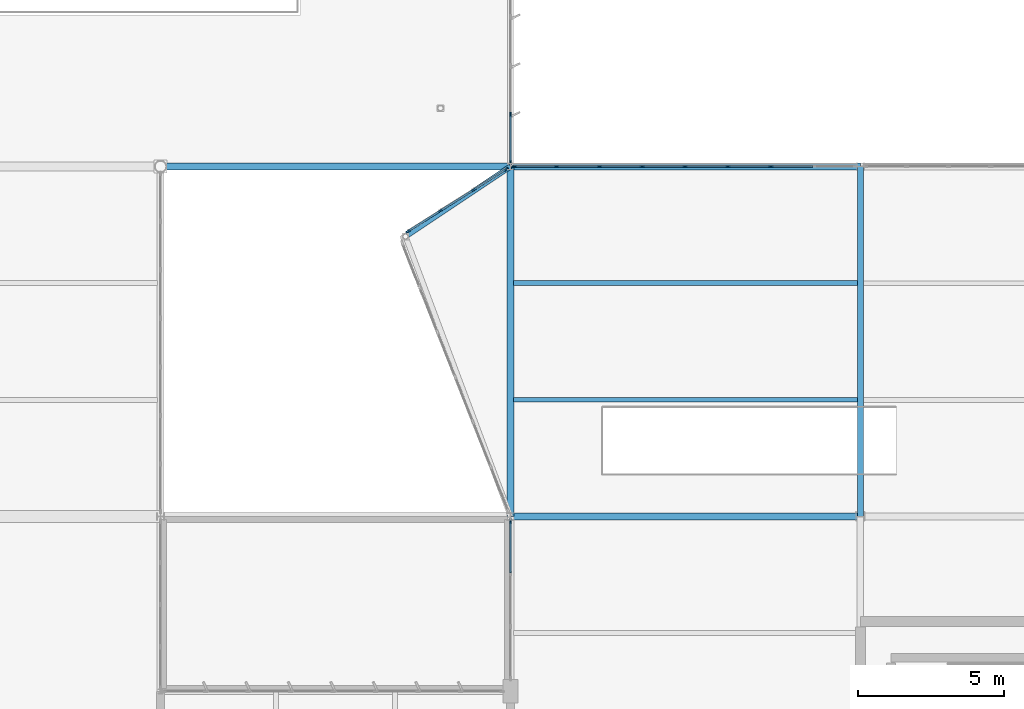
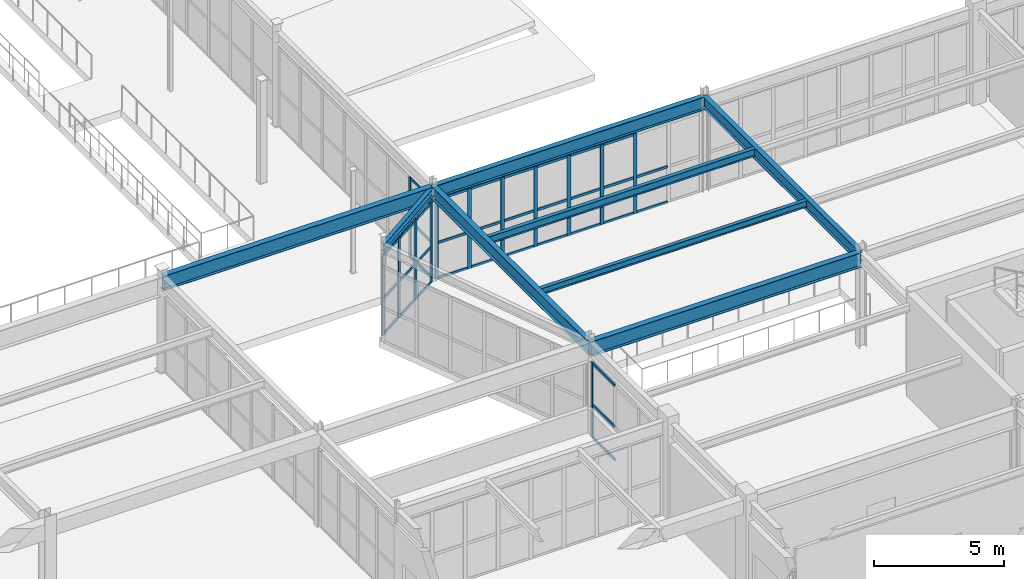
# One storey, part 114 of 226: 49 members, 8 beams, 4 elements without a shape of their own.
"""IFC4 building model written with IfcOpenShell, lengths in metres."""

from ifc_helpers import new_model, si_unit, direction, frame, origin, origin_2d, place, context, subcontext, project, spatial, rectangle, i_section, extrude, material, layer, layer_set, material_profile, profile_set, type_object, element, aggregate, save


model = new_model("IFC4")

# Units and contexts
model_context = context("Model", 3, precision=1e-05, world=origin(), true_north=direction((0.0, 1.0)))
body_context = subcontext(model_context, "Body", "Model", "MODEL_VIEW")
ifc_project = project(units=[si_unit("LENGTHUNIT", "METRE"), si_unit("AREAUNIT", "SQUARE_METRE"), si_unit("VOLUMEUNIT", "CUBIC_METRE"), si_unit("PLANEANGLEUNIT", "RADIAN"), si_unit("MASSUNIT", "GRAM", prefix="KILO")], contexts=[model_context])

# Site, building, storey
site_placement = place(None, origin())
site = spatial("IfcSite", under=ifc_project, at=site_placement, CompositionType="ELEMENT")
building_placement = place(site_placement, origin())
building = spatial("IfcBuilding", under=site, at=building_placement, Name="Tarnwether General Hospital", CompositionType="ELEMENT")
storey_placement = place(building_placement, frame((0.0, 0.0, 4.800048828125)))
storey = spatial("IfcBuildingStorey", under=building, at=storey_placement, Name="L01", CompositionType="ELEMENT", Elevation=4.800048828125)

# Beams
ifc_material_1 = material(Name="Steel Grade 350 (350 MPa)", Category="steel")
ifc_material_profile_1 = material_profile(ifc_material_1, i_section(OverallWidth=0.25, OverallDepth=0.69189453125, WebThickness=0.009033203125, FlangeThickness=0.01611328125, at=origin_2d()), Name="700WB115")
ifc_profile_set_1 = profile_set([ifc_material_profile_1], Name="Steel Grade 350 (350 MPa)")
beam_type_1 = type_object("IfcBeamType", Name="BM-G02", PredefinedType="BEAM", material=ifc_profile_set_1)
for number, where, z_axis, x_axis, name in (
    (1, (132.0, 45.60009765625, 4.098876953125), (1.0, 0.0, 0.0), (0.0, 1.0, 0.0), "Primary Girder BMG-L01-13200_4560-14400_4560-1200"),
    (2, (144.0, 33.60009765625, 4.098876953125), (1.0, 0.0, 0.0), (0.0, 1.0, 0.0), "Primary Girder BMG-L01-14400_3360-15600_3360-1216"),
):
    element("IfcBeam", number, at=place(storey_placement, frame(where, z_axis=z_axis, x_axis=x_axis)), inside=storey, type_object=beam_type_1, Name=name, PredefinedType="BEAM", context=body_context, shape_type="SweptSolid", body=[
        extrude(i_section(OverallWidth=0.25, OverallDepth=0.69189453125, WebThickness=0.009033203125, FlangeThickness=0.01611328125, at=origin_2d()), origin(), (0.0, 0.0, 1.0), 12.0),
    ])
ifc_material_2 = material(Name="Steel Grade 350 (350 MPa)", Category="steel")
ifc_material_profile_2 = material_profile(ifc_material_2, i_section(OverallWidth=0.22900390625, OverallDepth=0.612060546875, WebThickness=0.011962890625, FlangeThickness=0.01953125, at=origin_2d()), Name="610UB125")
ifc_profile_set_2 = profile_set([ifc_material_profile_2], Name="Steel Grade 350 (350 MPa)")
beam_type_2 = type_object("IfcBeamType", Name="BM-G03", PredefinedType="BEAM", material=ifc_profile_set_2)
beam_1_placement = place(storey_placement, frame((144.0, 45.60009765625, 4.138916015625), z_axis=(1.0, 0.0, 0.0), x_axis=(0.0, 1.0, 0.0)))
element("IfcBeam", 3, at=beam_1_placement, inside=storey, type_object=beam_type_2, Name="Primary Girder BMG-L01-14400_4560-15600_4560-1218", PredefinedType="BEAM", context=body_context, shape_type="SweptSolid", body=[
    extrude(i_section(OverallWidth=0.22900390625, OverallDepth=0.612060546875, WebThickness=0.011962890625, FlangeThickness=0.01953125, at=origin_2d()), origin(), (0.0, 0.0, 1.0), 12.0),
])
ifc_material_3 = material(Name="Steel Grade 350 (350 MPa)", Category="steel")
ifc_material_profile_3 = material_profile(ifc_material_3, i_section(OverallWidth=0.22802734375, OverallDepth=0.60205078125, WebThickness=0.010498046875, FlangeThickness=0.014892578125, at=origin_2d()), Name="610UB101")
ifc_profile_set_3 = profile_set([ifc_material_profile_3], Name="Steel Grade 350 (350 MPa)")
beam_type_3 = type_object("IfcBeamType", Name="BM-G05", PredefinedType="BEAM", material=ifc_profile_set_3)
beam_2_placement = place(storey_placement, frame((144.0, 33.60009765625, 4.14404296875), z_axis=(0.0, 1.0, 0.0), x_axis=(-1.0, 0.0, 0.0)))
element("IfcBeam", 4, at=beam_2_placement, inside=storey, type_object=beam_type_3, Name="Primary Girder BMG-L01-14400_3360-14400_4560-1217", PredefinedType="BEAM", context=body_context, shape_type="SweptSolid", body=[
    extrude(i_section(OverallWidth=0.22802734375, OverallDepth=0.60205078125, WebThickness=0.010498046875, FlangeThickness=0.014892578125, at=origin_2d()), origin(), (0.0, 0.0, 1.0), 12.0),
])
ifc_material_4 = material(Name="Steel Grade 350 (350 MPa)", Category="steel")
ifc_material_profile_4 = material_profile(ifc_material_4, i_section(OverallWidth=0.208984375, OverallDepth=0.532958984375, WebThickness=0.01025390625, FlangeThickness=0.015625, at=origin_2d()), Name="530UB92.4")
ifc_profile_set_4 = profile_set([ifc_material_profile_4], Name="Steel Grade 350 (350 MPa)")
beam_type_4 = type_object("IfcBeamType", Name="BM-G06", PredefinedType="BEAM", material=ifc_profile_set_4)
beam_3_placement = place(storey_placement, frame((156.0, 33.60009765625, 4.178466796875), z_axis=(0.0, 1.0, 0.0), x_axis=(-1.0, 0.0, 0.0)))
element("IfcBeam", 5, at=beam_3_placement, inside=storey, type_object=beam_type_4, Name="Primary Girder BMG-L01-15600_3360-15600_4560-1238", PredefinedType="BEAM", context=body_context, shape_type="SweptSolid", body=[
    extrude(i_section(OverallWidth=0.208984375, OverallDepth=0.532958984375, WebThickness=0.01025390625, FlangeThickness=0.015625, at=origin_2d()), origin(), (0.0, 0.0, 1.0), 12.0),
])
ifc_material_5 = material(Name="Steel Grade 350 (350 MPa)", Category="steel")
ifc_material_profile_5 = material_profile(ifc_material_5, i_section(OverallWidth=0.166015625, OverallDepth=0.306884765625, WebThickness=0.006591796875, FlangeThickness=0.01171875, at=origin_2d()), Name="310UB46.2")
ifc_profile_set_5 = profile_set([ifc_material_profile_5], Name="Steel Grade 350 (350 MPa)")
beam_type_5 = type_object("IfcBeamType", Name="BM-J05", PredefinedType="JOIST", material=ifc_profile_set_5)
beam_4_placement = place(storey_placement, frame((144.10791015625, 37.60009765625, 4.29150390625), z_axis=(1.0, 0.0, 0.0), x_axis=(0.0, 1.0, 0.0)))
element("IfcBeam", 6, at=beam_4_placement, inside=storey, type_object=beam_type_5, Name="Composite Floor Joist BMG-L01-14411_3760-15590_3760-1391", PredefinedType="JOIST", context=body_context, shape_type="SweptSolid", body=[
    extrude(i_section(OverallWidth=0.166015625, OverallDepth=0.306884765625, WebThickness=0.006591796875, FlangeThickness=0.01171875, at=origin_2d()), origin(), (0.0, 0.0, 1.0), 11.79296875),
])
ifc_material_6 = material(Name="Steel Grade 350 (350 MPa)", Category="steel")
ifc_material_profile_6 = material_profile(ifc_material_6, i_section(OverallWidth=0.1708984375, OverallDepth=0.35205078125, WebThickness=0.0068359375, FlangeThickness=0.009765625, at=origin_2d()), Name="360UB44.7")
ifc_profile_set_6 = profile_set([ifc_material_profile_6], Name="Steel Grade 350 (350 MPa)")
beam_type_6 = type_object("IfcBeamType", Name="BM-J06", PredefinedType="JOIST", material=ifc_profile_set_6)
beam_5_placement = place(storey_placement, frame((144.10791015625, 41.60009765625, 4.26904296875), z_axis=(1.0, 0.0, 0.0), x_axis=(0.0, 1.0, 0.0)))
element("IfcBeam", 7, at=beam_5_placement, inside=storey, type_object=beam_type_6, Name="Composite Floor Joist BMG-L01-14411_4160-15590_4160-1392", PredefinedType="JOIST", context=body_context, shape_type="SweptSolid", body=[
    extrude(i_section(OverallWidth=0.1708984375, OverallDepth=0.35205078125, WebThickness=0.0068359375, FlangeThickness=0.009765625, at=origin_2d()), origin(), (0.0, 0.0, 1.0), 11.79296875),
])
ifc_material_7 = material(Name="Steel Grade 350 (350 MPa)", Category="steel")
ifc_material_profile_7 = material_profile(ifc_material_7, i_section(OverallWidth=0.177978515625, OverallDepth=0.403076171875, WebThickness=0.007568359375, FlangeThickness=0.010986328125, at=origin_2d()), Name="410UB53.7")
ifc_profile_set_7 = profile_set([ifc_material_profile_7], Name="Steel Grade 350 (350 MPa)")
beam_type_7 = type_object("IfcBeamType", Name="BM-SP2", PredefinedType="SPANDREL", material=ifc_profile_set_7)
beam_6_placement = place(storey_placement, frame((140.39990234375, 43.199951171875, 4.228515625), z_axis=(0.832041613482, 0.554713217289, 0.0), x_axis=(-0.554713217289, 0.832041613482, 0.0)))
element("IfcBeam", 8, at=beam_6_placement, inside=storey, type_object=beam_type_7, Name="Forecourt South Shard Tie BMG-L01-14040_4320-14400_4560-2229", PredefinedType="SPANDREL", context=body_context, shape_type="SweptSolid", body=[
    extrude(i_section(OverallWidth=0.177978515625, OverallDepth=0.403076171875, WebThickness=0.007568359375, FlangeThickness=0.010986328125, at=origin_2d()), origin(), (0.0, 0.0, 1.0), 4.326904296875),
])

# Curtain wall, members
ifc_material_8 = material(Name="Anodised aluminium", Category="aluminium")
ifc_layer_1 = layer(ifc_material_8, 0.179931640625)
ifc_layer_set_1 = layer_set([ifc_layer_1], Name="Anodised aluminium")
curtain_wall_type_1 = type_object("IfcCurtainWallType", Name="CW-06", PredefinedType="NOTDEFINED", material=ifc_layer_set_1)
curtain_wall_1_placement = place(storey_placement, origin())
curtain_wall_1 = element("IfcCurtainWall", 9, at=curtain_wall_1_placement, inside=storey, type_object=curtain_wall_type_1, Name="Curtain Wall CWG-L01-1440_574-0338", PredefinedType="NOTDEFINED")
ifc_material_9 = material(Name="Anodised aluminium", Category="aluminium")
ifc_material_profile_8 = material_profile(ifc_material_9, rectangle(XDim=0.06005859375, YDim=0.159912109375, at=origin_2d()), Name="ALU-MUL-60x160")
ifc_profile_set_8 = profile_set([ifc_material_profile_8], Name="Anodised aluminium")
member_type_1 = type_object("IfcMemberType", Name="CW-ML1", PredefinedType="MULLION", material=ifc_profile_set_8)
member_1_placement = place(storey_placement, frame((144.0, 47.386962890625, 0.0), z_axis=(0.0, 0.0, 1.0), x_axis=(1.0, 0.0, 0.0)))
member_1 = element("IfcMember", 10, at=member_1_placement, type_object=member_type_1, Name="CW-06 mullion 7", PredefinedType="MULLION", context=body_context, shape_type="SweptSolid", body=[
    extrude(rectangle(XDim=0.06005859375, YDim=0.159912109375, at=origin_2d()), origin(), (0.0, 0.0, 1.0), 3.738037109375),
])
member_2_placement = place(storey_placement, frame((144.0, 45.742919921875, 0.0), z_axis=(0.0, 0.0, 1.0), x_axis=(1.0, 0.0, 0.0)))
member_2 = element("IfcMember", 11, at=member_2_placement, type_object=member_type_1, Name="CW-06 mullion 8", PredefinedType="MULLION", context=body_context, shape_type="SweptSolid", body=[
    extrude(rectangle(XDim=0.06005859375, YDim=0.159912109375, at=origin_2d()), origin(), (0.0, 0.0, 1.0), 3.738037109375),
])

# Curtain wall, member
ifc_material_10 = material(Name="Anodised aluminium", Category="aluminium")
ifc_layer_2 = layer(ifc_material_10, 0.159912109375)
ifc_layer_set_2 = layer_set([ifc_layer_2], Name="Anodised aluminium")
curtain_wall_type_2 = type_object("IfcCurtainWallType", Name="CW-15", PredefinedType="NOTDEFINED", material=ifc_layer_set_2)
curtain_wall_2_placement = place(storey_placement, origin())
curtain_wall_2 = element("IfcCurtainWall", 12, at=curtain_wall_2_placement, inside=storey, type_object=curtain_wall_type_2, Name="Curtain Wall CWG-L01-1440_280-0367", PredefinedType="NOTDEFINED")
member_3_placement = place(storey_placement, frame((144.0, 33.43505859375, 0.0), z_axis=(0.0, 0.0, 1.0), x_axis=(-1.0, 0.0, 0.0)))
member_3 = element("IfcMember", 13, at=member_3_placement, type_object=member_type_1, Name="CW-15 mullion 4", PredefinedType="MULLION", context=body_context, shape_type="SweptSolid", body=[
    extrude(rectangle(XDim=0.06005859375, YDim=0.159912109375, at=origin_2d()), origin(), (0.0, 0.0, 1.0), 3.530029296875),
])

# Curtain wall, members
curtain_wall_3_placement = place(storey_placement, origin())
curtain_wall_3 = element("IfcCurtainWall", 14, at=curtain_wall_3_placement, inside=storey, type_object=curtain_wall_type_2, Name="Curtain Wall CWG-L01-1405_434-0369", PredefinedType="NOTDEFINED")
member_4_placement = place(storey_placement, frame((140.48828125, 43.382080078125, 0.0), z_axis=(0.0, 0.0, 1.0), x_axis=(-0.534048959382, 0.845453552233, 0.0)))
member_4 = element("IfcMember", 15, at=member_4_placement, type_object=member_type_1, Name="CW-15 mullion 1", PredefinedType="MULLION", context=body_context, shape_type="SweptSolid", body=[
    extrude(rectangle(XDim=0.06005859375, YDim=0.159912109375, at=origin_2d()), origin(), (0.0, 0.0, 1.0), 3.738037109375),
])
member_5_placement = place(storey_placement, frame((141.599609375, 44.083984375, 0.0), z_axis=(0.0, 0.0, 1.0), x_axis=(-0.534048959382, 0.845453552233, 0.0)))
member_5 = element("IfcMember", 16, at=member_5_placement, type_object=member_type_1, Name="CW-15 mullion 2", PredefinedType="MULLION", context=body_context, shape_type="SweptSolid", body=[
    extrude(rectangle(XDim=0.06005859375, YDim=0.159912109375, at=origin_2d()), origin(), (0.0, 0.0, 1.0), 3.738037109375),
])
member_6_placement = place(storey_placement, frame((142.736328125, 44.802001953125, 0.0), z_axis=(0.0, 0.0, 1.0), x_axis=(-0.534048959382, 0.845453552233, 0.0)))
member_6 = element("IfcMember", 17, at=member_6_placement, type_object=member_type_1, Name="CW-15 mullion 3", PredefinedType="MULLION", context=body_context, shape_type="SweptSolid", body=[
    extrude(rectangle(XDim=0.06005859375, YDim=0.159912109375, at=origin_2d()), origin(), (0.0, 0.0, 1.0), 3.738037109375),
])
member_7_placement = place(storey_placement, frame((143.84765625, 45.50390625, 0.0), z_axis=(0.0, 0.0, 1.0), x_axis=(-0.534048959382, 0.845453552233, 0.0)))
member_7 = element("IfcMember", 18, at=member_7_placement, type_object=member_type_1, Name="CW-15 mullion 4", PredefinedType="MULLION", context=body_context, shape_type="SweptSolid", body=[
    extrude(rectangle(XDim=0.06005859375, YDim=0.159912109375, at=origin_2d()), origin(), (0.0, 0.0, 1.0), 3.738037109375),
])

ifc_material_11 = material(Name="Anodised aluminium", Category="aluminium")
ifc_layer_3 = layer(ifc_material_11, 0.159912109375)
ifc_layer_set_3 = layer_set([ifc_layer_3], Name="Anodised aluminium")
curtain_wall_type_3 = type_object("IfcCurtainWallType", Name="CW-18", PredefinedType="NOTDEFINED", material=ifc_layer_set_3)
curtain_wall_4_placement = place(storey_placement, origin())
curtain_wall_4 = element("IfcCurtainWall", 19, at=curtain_wall_4_placement, inside=storey, type_object=curtain_wall_type_3, Name="Curtain Wall CWG-L01-1441_456-0379", PredefinedType="NOTDEFINED")
member_8_placement = place(storey_placement, frame((144.14111328125, 45.60009765625, 0.0), z_axis=(0.0, 0.0, 1.0), x_axis=(0.0, 1.0, 0.0)))
member_8 = element("IfcMember", 20, at=member_8_placement, type_object=member_type_1, Name="CW-18 mullion 1", PredefinedType="MULLION", context=body_context, shape_type="SweptSolid", body=[
    extrude(rectangle(XDim=0.06005859375, YDim=0.159912109375, at=origin_2d()), origin(), (0.0, 0.0, 1.0), 3.738037109375),
])
member_9_placement = place(storey_placement, frame((145.579833984375, 45.60009765625, 0.0), z_axis=(0.0, 0.0, 1.0), x_axis=(0.0, 1.0, 0.0)))
member_9 = element("IfcMember", 21, at=member_9_placement, type_object=member_type_1, Name="CW-18 mullion 2", PredefinedType="MULLION", context=body_context, shape_type="SweptSolid", body=[
    extrude(rectangle(XDim=0.06005859375, YDim=0.159912109375, at=origin_2d()), origin(), (0.0, 0.0, 1.0), 3.738037109375),
])
member_10_placement = place(storey_placement, frame((147.048828125, 45.60009765625, 0.0), z_axis=(0.0, 0.0, 1.0), x_axis=(0.0, 1.0, 0.0)))
member_10 = element("IfcMember", 22, at=member_10_placement, type_object=member_type_1, Name="CW-18 mullion 3", PredefinedType="MULLION", context=body_context, shape_type="SweptSolid", body=[
    extrude(rectangle(XDim=0.06005859375, YDim=0.159912109375, at=origin_2d()), origin(), (0.0, 0.0, 1.0), 3.738037109375),
])
member_11_placement = place(storey_placement, frame((148.517578125, 45.60009765625, 0.0), z_axis=(0.0, 0.0, 1.0), x_axis=(0.0, 1.0, 0.0)))
member_11 = element("IfcMember", 23, at=member_11_placement, type_object=member_type_1, Name="CW-18 mullion 4", PredefinedType="MULLION", context=body_context, shape_type="SweptSolid", body=[
    extrude(rectangle(XDim=0.06005859375, YDim=0.159912109375, at=origin_2d()), origin(), (0.0, 0.0, 1.0), 3.738037109375),
])
member_12_placement = place(storey_placement, frame((149.986572265625, 45.60009765625, 0.0), z_axis=(0.0, 0.0, 1.0), x_axis=(0.0, 1.0, 0.0)))
member_12 = element("IfcMember", 24, at=member_12_placement, type_object=member_type_1, Name="CW-18 mullion 5", PredefinedType="MULLION", context=body_context, shape_type="SweptSolid", body=[
    extrude(rectangle(XDim=0.06005859375, YDim=0.159912109375, at=origin_2d()), origin(), (0.0, 0.0, 1.0), 3.738037109375),
])
member_13_placement = place(storey_placement, frame((151.455322265625, 45.60009765625, 0.0), z_axis=(0.0, 0.0, 1.0), x_axis=(0.0, 1.0, 0.0)))
member_13 = element("IfcMember", 25, at=member_13_placement, type_object=member_type_1, Name="CW-18 mullion 6", PredefinedType="MULLION", context=body_context, shape_type="SweptSolid", body=[
    extrude(rectangle(XDim=0.06005859375, YDim=0.159912109375, at=origin_2d()), origin(), (0.0, 0.0, 1.0), 3.738037109375),
])
member_14_placement = place(storey_placement, frame((152.92431640625, 45.60009765625, 0.0), z_axis=(0.0, 0.0, 1.0), x_axis=(0.0, 1.0, 0.0)))
member_14 = element("IfcMember", 26, at=member_14_placement, type_object=member_type_1, Name="CW-18 mullion 7", PredefinedType="MULLION", context=body_context, shape_type="SweptSolid", body=[
    extrude(rectangle(XDim=0.06005859375, YDim=0.159912109375, at=origin_2d()), origin(), (0.0, 0.0, 1.0), 3.738037109375),
])

# Member
ifc_material_12 = material(Name="Anodised aluminium", Category="aluminium")
ifc_material_profile_9 = material_profile(ifc_material_12, rectangle(XDim=0.06005859375, YDim=0.1201171875, at=origin_2d()), Name="ALU-TRN-60x120")
ifc_profile_set_9 = profile_set([ifc_material_profile_9], Name="Anodised aluminium")
member_type_2 = type_object("IfcMemberType", Name="CW-TR1", PredefinedType="USERDEFINED", material=ifc_profile_set_9)
member_15_placement = place(storey_placement, frame((144.0, 47.35693359375, 0.030029296875), z_axis=(0.0, -1.0, 0.0), x_axis=(1.0, 0.0, 0.0)))
member_15 = element("IfcMember", 27, at=member_15_placement, type_object=member_type_2, Name="CW-06 transom 7.1", ObjectType="TRANSOM", PredefinedType="USERDEFINED", context=body_context, shape_type="SweptSolid", body=[
    extrude(rectangle(XDim=0.06005859375, YDim=0.1201171875, at=origin_2d()), origin(), (0.0, 0.0, 1.0), 1.583984375),
])

member_16_placement = place(storey_placement, frame((144.0, 47.35693359375, 1.68212890625), z_axis=(0.0, -1.0, 0.0), x_axis=(1.0, 0.0, 0.0)))
member_16 = element("IfcMember", 28, at=member_16_placement, type_object=member_type_2, Name="CW-06 transom 7.2", ObjectType="TRANSOM", PredefinedType="USERDEFINED", context=body_context, shape_type="SweptSolid", body=[
    extrude(rectangle(XDim=0.06005859375, YDim=0.1201171875, at=origin_2d()), origin(), (0.0, 0.0, 1.0), 1.583984375),
])

member_17_placement = place(storey_placement, frame((144.0, 47.35693359375, 3.7080078125), z_axis=(0.0, -1.0, 0.0), x_axis=(1.0, 0.0, 0.0)))
member_17 = element("IfcMember", 29, at=member_17_placement, type_object=member_type_2, Name="CW-06 transom 7.3", ObjectType="TRANSOM", PredefinedType="USERDEFINED", context=body_context, shape_type="SweptSolid", body=[
    extrude(rectangle(XDim=0.06005859375, YDim=0.1201171875, at=origin_2d()), origin(), (0.0, 0.0, 1.0), 1.583984375),
])

aggregate(curtain_wall_1, [member_1, member_2, member_15, member_16, member_17])

member_18_placement = place(storey_placement, frame((144.0, 31.676025390625, 0.030029296875), z_axis=(0.0, 1.0, 0.0), x_axis=(-1.0, 0.0, 0.0)))
member_18 = element("IfcMember", 30, at=member_18_placement, type_object=member_type_2, Name="CW-15 transom 3.1", ObjectType="TRANSOM", PredefinedType="USERDEFINED", context=body_context, shape_type="SweptSolid", body=[
    extrude(rectangle(XDim=0.06005859375, YDim=0.1201171875, at=origin_2d()), origin(), (0.0, 0.0, 1.0), 1.72900390625),
])

member_19_placement = place(storey_placement, frame((144.0, 31.676025390625, 1.58837890625), z_axis=(0.0, 1.0, 0.0), x_axis=(-1.0, 0.0, 0.0)))
member_19 = element("IfcMember", 31, at=member_19_placement, type_object=member_type_2, Name="CW-15 transom 3.2", ObjectType="TRANSOM", PredefinedType="USERDEFINED", context=body_context, shape_type="SweptSolid", body=[
    extrude(rectangle(XDim=0.06005859375, YDim=0.1201171875, at=origin_2d()), origin(), (0.0, 0.0, 1.0), 1.72900390625),
])

member_20_placement = place(storey_placement, frame((144.0, 31.676025390625, 3.5), z_axis=(0.0, 1.0, 0.0), x_axis=(-1.0, 0.0, 0.0)))
member_20 = element("IfcMember", 32, at=member_20_placement, type_object=member_type_2, Name="CW-15 transom 3.3", ObjectType="TRANSOM", PredefinedType="USERDEFINED", context=body_context, shape_type="SweptSolid", body=[
    extrude(rectangle(XDim=0.06005859375, YDim=0.1201171875, at=origin_2d()), origin(), (0.0, 0.0, 1.0), 1.72900390625),
])

aggregate(curtain_wall_2, [member_3, member_18, member_19, member_20])

member_21_placement = place(storey_placement, frame((140.513671875, 43.39794921875, 0.030029296875), z_axis=(0.845451902942, 0.534051570367, 0.0), x_axis=(-0.534051570367, 0.845451902942, 0.0)))
member_21 = element("IfcMember", 33, at=member_21_placement, type_object=member_type_2, Name="CW-15 transom 1.1", ObjectType="TRANSOM", PredefinedType="USERDEFINED", context=body_context, shape_type="SweptSolid", body=[
    extrude(rectangle(XDim=0.06005859375, YDim=0.1201171875, at=origin_2d()), origin(), (0.0, 0.0, 1.0), 1.25439453125),
])

member_22_placement = place(storey_placement, frame((140.513671875, 43.39794921875, 1.68212890625), z_axis=(0.845451902942, 0.534051570367, 0.0), x_axis=(-0.534051570367, 0.845451902942, 0.0)))
member_22 = element("IfcMember", 34, at=member_22_placement, type_object=member_type_2, Name="CW-15 transom 1.2", ObjectType="TRANSOM", PredefinedType="USERDEFINED", context=body_context, shape_type="SweptSolid", body=[
    extrude(rectangle(XDim=0.06005859375, YDim=0.1201171875, at=origin_2d()), origin(), (0.0, 0.0, 1.0), 1.25439453125),
])

member_23_placement = place(storey_placement, frame((140.513671875, 43.39794921875, 3.7080078125), z_axis=(0.845451902942, 0.534051570367, 0.0), x_axis=(-0.534051570367, 0.845451902942, 0.0)))
member_23 = element("IfcMember", 35, at=member_23_placement, type_object=member_type_2, Name="CW-15 transom 1.3", ObjectType="TRANSOM", PredefinedType="USERDEFINED", context=body_context, shape_type="SweptSolid", body=[
    extrude(rectangle(XDim=0.06005859375, YDim=0.1201171875, at=origin_2d()), origin(), (0.0, 0.0, 1.0), 1.25439453125),
])

member_24_placement = place(storey_placement, frame((141.625, 44.10009765625, 0.030029296875), z_axis=(0.845511486989, 0.533957231779, 0.0), x_axis=(-0.533957231779, 0.845511486989, 0.0)))
member_24 = element("IfcMember", 36, at=member_24_placement, type_object=member_type_2, Name="CW-15 transom 2.1", ObjectType="TRANSOM", PredefinedType="USERDEFINED", context=body_context, shape_type="SweptSolid", body=[
    extrude(rectangle(XDim=0.06005859375, YDim=0.1201171875, at=origin_2d()), origin(), (0.0, 0.0, 1.0), 1.284423828125),
])

member_25_placement = place(storey_placement, frame((141.625, 44.10009765625, 1.68212890625), z_axis=(0.845511486989, 0.533957231779, 0.0), x_axis=(-0.533957231779, 0.845511486989, 0.0)))
member_25 = element("IfcMember", 37, at=member_25_placement, type_object=member_type_2, Name="CW-15 transom 2.2", ObjectType="TRANSOM", PredefinedType="USERDEFINED", context=body_context, shape_type="SweptSolid", body=[
    extrude(rectangle(XDim=0.06005859375, YDim=0.1201171875, at=origin_2d()), origin(), (0.0, 0.0, 1.0), 1.284423828125),
])

member_26_placement = place(storey_placement, frame((141.625, 44.10009765625, 3.7080078125), z_axis=(0.845511486989, 0.533957231779, 0.0), x_axis=(-0.533957231779, 0.845511486989, 0.0)))
member_26 = element("IfcMember", 38, at=member_26_placement, type_object=member_type_2, Name="CW-15 transom 2.3", ObjectType="TRANSOM", PredefinedType="USERDEFINED", context=body_context, shape_type="SweptSolid", body=[
    extrude(rectangle(XDim=0.06005859375, YDim=0.1201171875, at=origin_2d()), origin(), (0.0, 0.0, 1.0), 1.284423828125),
])

member_27_placement = place(storey_placement, frame((142.76171875, 44.818115234375, 0.030029296875), z_axis=(0.845451902942, 0.534051570367, 0.0), x_axis=(-0.534051570367, 0.845451902942, 0.0)))
member_27 = element("IfcMember", 39, at=member_27_placement, type_object=member_type_2, Name="CW-15 transom 3.1", ObjectType="TRANSOM", PredefinedType="USERDEFINED", context=body_context, shape_type="SweptSolid", body=[
    extrude(rectangle(XDim=0.06005859375, YDim=0.1201171875, at=origin_2d()), origin(), (0.0, 0.0, 1.0), 1.25439453125),
])

member_28_placement = place(storey_placement, frame((142.76171875, 44.818115234375, 1.68212890625), z_axis=(0.845451902942, 0.534051570367, 0.0), x_axis=(-0.534051570367, 0.845451902942, 0.0)))
member_28 = element("IfcMember", 40, at=member_28_placement, type_object=member_type_2, Name="CW-15 transom 3.2", ObjectType="TRANSOM", PredefinedType="USERDEFINED", context=body_context, shape_type="SweptSolid", body=[
    extrude(rectangle(XDim=0.06005859375, YDim=0.1201171875, at=origin_2d()), origin(), (0.0, 0.0, 1.0), 1.25439453125),
])

member_29_placement = place(storey_placement, frame((142.76171875, 44.818115234375, 3.7080078125), z_axis=(0.845451902942, 0.534051570367, 0.0), x_axis=(-0.534051570367, 0.845451902942, 0.0)))
member_29 = element("IfcMember", 41, at=member_29_placement, type_object=member_type_2, Name="CW-15 transom 3.3", ObjectType="TRANSOM", PredefinedType="USERDEFINED", context=body_context, shape_type="SweptSolid", body=[
    extrude(rectangle(XDim=0.06005859375, YDim=0.1201171875, at=origin_2d()), origin(), (0.0, 0.0, 1.0), 1.25439453125),
])

aggregate(curtain_wall_3, [member_4, member_5, member_6, member_7, member_21, member_22, member_23, member_24, member_25, member_26, member_27, member_28, member_29])

member_30_placement = place(storey_placement, frame((144.1708984375, 45.60009765625, 0.030029296875), z_axis=(1.0, 0.0, 0.0), x_axis=(0.0, 1.0, 0.0)))
member_30 = element("IfcMember", 42, at=member_30_placement, type_object=member_type_2, Name="CW-18 transom 1.1", ObjectType="TRANSOM", PredefinedType="USERDEFINED", context=body_context, shape_type="SweptSolid", body=[
    extrude(rectangle(XDim=0.06005859375, YDim=0.1201171875, at=origin_2d()), origin(), (0.0, 0.0, 1.0), 1.37890625),
])

member_31_placement = place(storey_placement, frame((144.1708984375, 45.60009765625, 1.68212890625), z_axis=(1.0, 0.0, 0.0), x_axis=(0.0, 1.0, 0.0)))
member_31 = element("IfcMember", 43, at=member_31_placement, type_object=member_type_2, Name="CW-18 transom 1.2", ObjectType="TRANSOM", PredefinedType="USERDEFINED", context=body_context, shape_type="SweptSolid", body=[
    extrude(rectangle(XDim=0.06005859375, YDim=0.1201171875, at=origin_2d()), origin(), (0.0, 0.0, 1.0), 1.37890625),
])

member_32_placement = place(storey_placement, frame((144.1708984375, 45.60009765625, 3.7080078125), z_axis=(1.0, 0.0, 0.0), x_axis=(0.0, 1.0, 0.0)))
member_32 = element("IfcMember", 44, at=member_32_placement, type_object=member_type_2, Name="CW-18 transom 1.3", ObjectType="TRANSOM", PredefinedType="USERDEFINED", context=body_context, shape_type="SweptSolid", body=[
    extrude(rectangle(XDim=0.06005859375, YDim=0.1201171875, at=origin_2d()), origin(), (0.0, 0.0, 1.0), 1.37890625),
])

member_33_placement = place(storey_placement, frame((145.60986328125, 45.60009765625, 0.030029296875), z_axis=(1.0, 0.0, 0.0), x_axis=(0.0, 1.0, 0.0)))
member_33 = element("IfcMember", 45, at=member_33_placement, type_object=member_type_2, Name="CW-18 transom 2.1", ObjectType="TRANSOM", PredefinedType="USERDEFINED", context=body_context, shape_type="SweptSolid", body=[
    extrude(rectangle(XDim=0.06005859375, YDim=0.1201171875, at=origin_2d()), origin(), (0.0, 0.0, 1.0), 1.408935546875),
])

member_34_placement = place(storey_placement, frame((145.60986328125, 45.60009765625, 1.68212890625), z_axis=(1.0, 0.0, 0.0), x_axis=(0.0, 1.0, 0.0)))
member_34 = element("IfcMember", 46, at=member_34_placement, type_object=member_type_2, Name="CW-18 transom 2.2", ObjectType="TRANSOM", PredefinedType="USERDEFINED", context=body_context, shape_type="SweptSolid", body=[
    extrude(rectangle(XDim=0.06005859375, YDim=0.1201171875, at=origin_2d()), origin(), (0.0, 0.0, 1.0), 1.408935546875),
])

member_35_placement = place(storey_placement, frame((145.60986328125, 45.60009765625, 3.7080078125), z_axis=(1.0, 0.0, 0.0), x_axis=(0.0, 1.0, 0.0)))
member_35 = element("IfcMember", 47, at=member_35_placement, type_object=member_type_2, Name="CW-18 transom 2.3", ObjectType="TRANSOM", PredefinedType="USERDEFINED", context=body_context, shape_type="SweptSolid", body=[
    extrude(rectangle(XDim=0.06005859375, YDim=0.1201171875, at=origin_2d()), origin(), (0.0, 0.0, 1.0), 1.408935546875),
])

member_36_placement = place(storey_placement, frame((147.078857421875, 45.60009765625, 0.030029296875), z_axis=(1.0, 0.0, 0.0), x_axis=(0.0, 1.0, 0.0)))
member_36 = element("IfcMember", 48, at=member_36_placement, type_object=member_type_2, Name="CW-18 transom 3.1", ObjectType="TRANSOM", PredefinedType="USERDEFINED", context=body_context, shape_type="SweptSolid", body=[
    extrude(rectangle(XDim=0.06005859375, YDim=0.1201171875, at=origin_2d()), origin(), (0.0, 0.0, 1.0), 1.40869140625),
])

member_37_placement = place(storey_placement, frame((147.078857421875, 45.60009765625, 1.68212890625), z_axis=(1.0, 0.0, 0.0), x_axis=(0.0, 1.0, 0.0)))
member_37 = element("IfcMember", 49, at=member_37_placement, type_object=member_type_2, Name="CW-18 transom 3.2", ObjectType="TRANSOM", PredefinedType="USERDEFINED", context=body_context, shape_type="SweptSolid", body=[
    extrude(rectangle(XDim=0.06005859375, YDim=0.1201171875, at=origin_2d()), origin(), (0.0, 0.0, 1.0), 1.40869140625),
])

member_38_placement = place(storey_placement, frame((147.078857421875, 45.60009765625, 3.7080078125), z_axis=(1.0, 0.0, 0.0), x_axis=(0.0, 1.0, 0.0)))
member_38 = element("IfcMember", 50, at=member_38_placement, type_object=member_type_2, Name="CW-18 transom 3.3", ObjectType="TRANSOM", PredefinedType="USERDEFINED", context=body_context, shape_type="SweptSolid", body=[
    extrude(rectangle(XDim=0.06005859375, YDim=0.1201171875, at=origin_2d()), origin(), (0.0, 0.0, 1.0), 1.40869140625),
])

member_39_placement = place(storey_placement, frame((148.547607421875, 45.60009765625, 0.030029296875), z_axis=(1.0, 0.0, 0.0), x_axis=(0.0, 1.0, 0.0)))
member_39 = element("IfcMember", 51, at=member_39_placement, type_object=member_type_2, Name="CW-18 transom 4.1", ObjectType="TRANSOM", PredefinedType="USERDEFINED", context=body_context, shape_type="SweptSolid", body=[
    extrude(rectangle(XDim=0.06005859375, YDim=0.1201171875, at=origin_2d()), origin(), (0.0, 0.0, 1.0), 1.408935546875),
])

member_40_placement = place(storey_placement, frame((148.547607421875, 45.60009765625, 1.68212890625), z_axis=(1.0, 0.0, 0.0), x_axis=(0.0, 1.0, 0.0)))
member_40 = element("IfcMember", 52, at=member_40_placement, type_object=member_type_2, Name="CW-18 transom 4.2", ObjectType="TRANSOM", PredefinedType="USERDEFINED", context=body_context, shape_type="SweptSolid", body=[
    extrude(rectangle(XDim=0.06005859375, YDim=0.1201171875, at=origin_2d()), origin(), (0.0, 0.0, 1.0), 1.408935546875),
])

member_41_placement = place(storey_placement, frame((148.547607421875, 45.60009765625, 3.7080078125), z_axis=(1.0, 0.0, 0.0), x_axis=(0.0, 1.0, 0.0)))
member_41 = element("IfcMember", 53, at=member_41_placement, type_object=member_type_2, Name="CW-18 transom 4.3", ObjectType="TRANSOM", PredefinedType="USERDEFINED", context=body_context, shape_type="SweptSolid", body=[
    extrude(rectangle(XDim=0.06005859375, YDim=0.1201171875, at=origin_2d()), origin(), (0.0, 0.0, 1.0), 1.408935546875),
])

member_42_placement = place(storey_placement, frame((150.0166015625, 45.60009765625, 0.030029296875), z_axis=(1.0, 0.0, 0.0), x_axis=(0.0, 1.0, 0.0)))
member_42 = element("IfcMember", 54, at=member_42_placement, type_object=member_type_2, Name="CW-18 transom 5.1", ObjectType="TRANSOM", PredefinedType="USERDEFINED", context=body_context, shape_type="SweptSolid", body=[
    extrude(rectangle(XDim=0.06005859375, YDim=0.1201171875, at=origin_2d()), origin(), (0.0, 0.0, 1.0), 1.40869140625),
])

member_43_placement = place(storey_placement, frame((150.0166015625, 45.60009765625, 1.68212890625), z_axis=(1.0, 0.0, 0.0), x_axis=(0.0, 1.0, 0.0)))
member_43 = element("IfcMember", 55, at=member_43_placement, type_object=member_type_2, Name="CW-18 transom 5.2", ObjectType="TRANSOM", PredefinedType="USERDEFINED", context=body_context, shape_type="SweptSolid", body=[
    extrude(rectangle(XDim=0.06005859375, YDim=0.1201171875, at=origin_2d()), origin(), (0.0, 0.0, 1.0), 1.40869140625),
])

member_44_placement = place(storey_placement, frame((150.0166015625, 45.60009765625, 3.7080078125), z_axis=(1.0, 0.0, 0.0), x_axis=(0.0, 1.0, 0.0)))
member_44 = element("IfcMember", 56, at=member_44_placement, type_object=member_type_2, Name="CW-18 transom 5.3", ObjectType="TRANSOM", PredefinedType="USERDEFINED", context=body_context, shape_type="SweptSolid", body=[
    extrude(rectangle(XDim=0.06005859375, YDim=0.1201171875, at=origin_2d()), origin(), (0.0, 0.0, 1.0), 1.40869140625),
])

member_45_placement = place(storey_placement, frame((151.4853515625, 45.60009765625, 0.030029296875), z_axis=(1.0, 0.0, 0.0), x_axis=(0.0, 1.0, 0.0)))
member_45 = element("IfcMember", 57, at=member_45_placement, type_object=member_type_2, Name="CW-18 transom 6.1", ObjectType="TRANSOM", PredefinedType="USERDEFINED", context=body_context, shape_type="SweptSolid", body=[
    extrude(rectangle(XDim=0.06005859375, YDim=0.1201171875, at=origin_2d()), origin(), (0.0, 0.0, 1.0), 1.408935546875),
])

member_46_placement = place(storey_placement, frame((151.4853515625, 45.60009765625, 1.68212890625), z_axis=(1.0, 0.0, 0.0), x_axis=(0.0, 1.0, 0.0)))
member_46 = element("IfcMember", 58, at=member_46_placement, type_object=member_type_2, Name="CW-18 transom 6.2", ObjectType="TRANSOM", PredefinedType="USERDEFINED", context=body_context, shape_type="SweptSolid", body=[
    extrude(rectangle(XDim=0.06005859375, YDim=0.1201171875, at=origin_2d()), origin(), (0.0, 0.0, 1.0), 1.408935546875),
])

member_47_placement = place(storey_placement, frame((151.4853515625, 45.60009765625, 3.7080078125), z_axis=(1.0, 0.0, 0.0), x_axis=(0.0, 1.0, 0.0)))
member_47 = element("IfcMember", 59, at=member_47_placement, type_object=member_type_2, Name="CW-18 transom 6.3", ObjectType="TRANSOM", PredefinedType="USERDEFINED", context=body_context, shape_type="SweptSolid", body=[
    extrude(rectangle(XDim=0.06005859375, YDim=0.1201171875, at=origin_2d()), origin(), (0.0, 0.0, 1.0), 1.408935546875),
])

member_48_placement = place(storey_placement, frame((152.954345703125, 45.60009765625, 0.030029296875), z_axis=(1.0, 0.0, 0.0), x_axis=(0.0, 1.0, 0.0)))
member_48 = element("IfcMember", 60, at=member_48_placement, type_object=member_type_2, Name="CW-18 transom 7.1", ObjectType="TRANSOM", PredefinedType="USERDEFINED", context=body_context, shape_type="SweptSolid", body=[
    extrude(rectangle(XDim=0.06005859375, YDim=0.1201171875, at=origin_2d()), origin(), (0.0, 0.0, 1.0), 1.40869140625),
])

member_49_placement = place(storey_placement, frame((152.954345703125, 45.60009765625, 1.68212890625), z_axis=(1.0, 0.0, 0.0), x_axis=(0.0, 1.0, 0.0)))
member_49 = element("IfcMember", 61, at=member_49_placement, type_object=member_type_2, Name="CW-18 transom 7.2", ObjectType="TRANSOM", PredefinedType="USERDEFINED", context=body_context, shape_type="SweptSolid", body=[
    extrude(rectangle(XDim=0.06005859375, YDim=0.1201171875, at=origin_2d()), origin(), (0.0, 0.0, 1.0), 1.40869140625),
])

aggregate(curtain_wall_4, [member_8, member_9, member_10, member_11, member_12, member_13, member_14, member_30, member_31, member_32, member_33, member_34, member_35, member_36, member_37, member_38, member_39, member_40, member_41, member_42, member_43, member_44, member_45, member_46, member_47, member_48, member_49])

save(model, "model.ifc")
